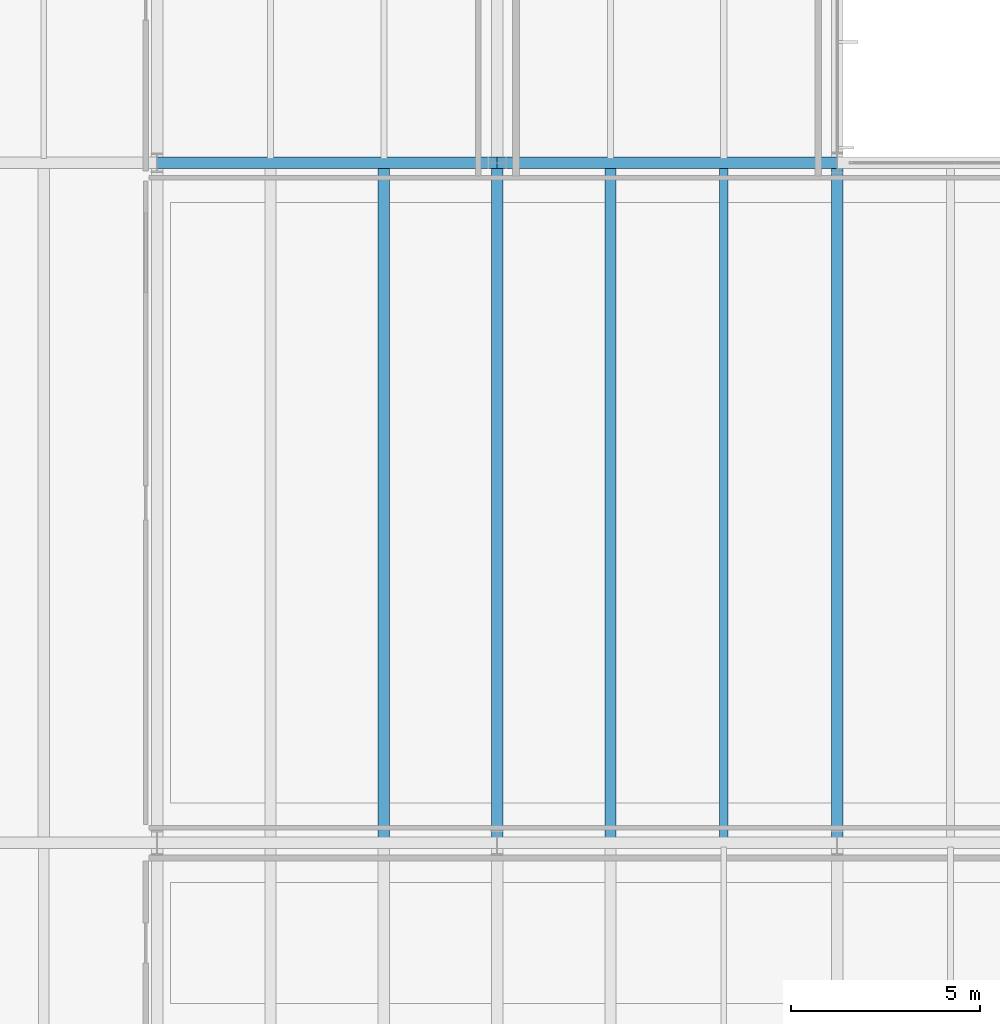
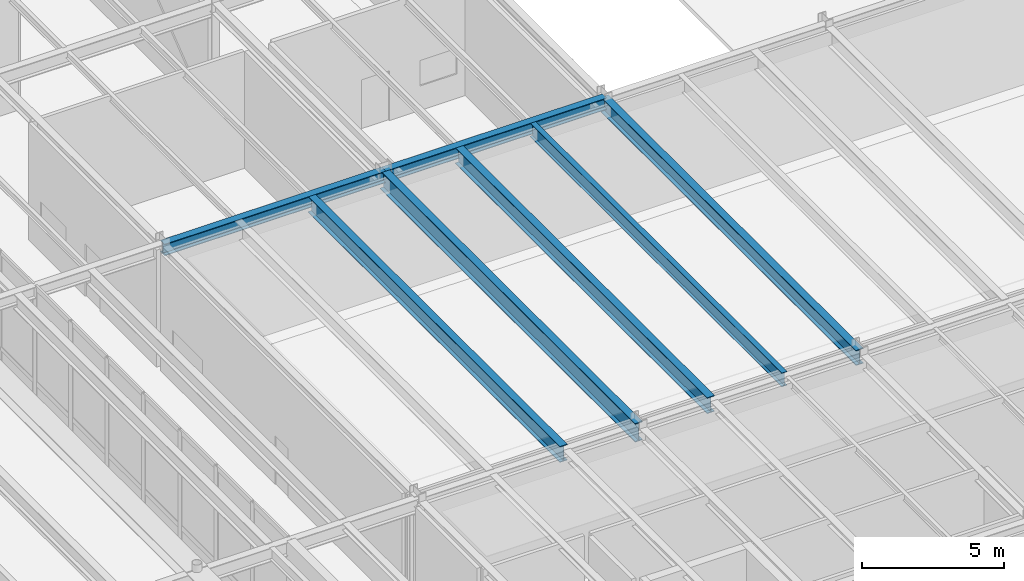
# One storey, part 48 of 143: 7 beams.
"""IFC4 building model written with IfcOpenShell, lengths in metres."""

from ifc_helpers import new_model, si_unit, direction, frame, origin, origin_2d, place, context, subcontext, project, spatial, i_section, extrude, material, material_profile, profile_set, type_object, element, save


model = new_model("IFC4")

# Units and contexts
model_context = context("Model", 3, precision=1e-05, world=origin(), true_north=direction((0.0, 1.0)))
body_context = subcontext(model_context, "Body", "Model", "MODEL_VIEW")
ifc_project = project(units=[si_unit("LENGTHUNIT", "METRE"), si_unit("AREAUNIT", "SQUARE_METRE"), si_unit("VOLUMEUNIT", "CUBIC_METRE"), si_unit("PLANEANGLEUNIT", "RADIAN"), si_unit("MASSUNIT", "GRAM", prefix="KILO")], contexts=[model_context])

# Site, building, storey
site_placement = place(None, origin())
site = spatial("IfcSite", under=ifc_project, at=site_placement, CompositionType="ELEMENT")
building_placement = place(site_placement, origin())
building = spatial("IfcBuilding", under=site, at=building_placement, Name="Montelvaro Courts of Justice", CompositionType="ELEMENT")
storey_placement = place(building_placement, origin())
storey = spatial("IfcBuildingStorey", under=building, at=storey_placement, Name="L00", CompositionType="ELEMENT", Elevation=0.0)

# Beams
ifc_material = material(Name="Steel S355", Category="steel")
ifc_material_profile_1 = material_profile(ifc_material, i_section(OverallWidth=0.300048828125, OverallDepth=0.68994140625, WebThickness=0.014404296875, FlangeThickness=0.027099609375, at=origin_2d()), Name="HEA 700")
ifc_profile_set_1 = profile_set([ifc_material_profile_1], Name="Steel S355")
beam_type_1 = type_object("IfcBeamType", Name="Beam_HEA700", PredefinedType="USERDEFINED", material=ifc_profile_set_1)
for number, where, z_axis, x_axis, name in (
    (1, (114.0, 24.110107421875, 4.77490234375), (0.0, 1.0, 0.0), (-1.0, 0.0, 0.0), "Beam B-23 L00"),
    (2, (120.0, 24.110107421875, 4.77490234375), (0.0, 1.0, 0.0), (-1.0, 0.0, 0.0), "Beam B-23 L00"),
):
    element("IfcBeam", number, at=place(storey_placement, frame(where, z_axis=z_axis, x_axis=x_axis)), inside=storey, type_object=beam_type_1, Name=name, ObjectType="GIRDER", PredefinedType="USERDEFINED", context=body_context, shape_type="SweptSolid", body=[
        extrude(i_section(OverallWidth=0.300048828125, OverallDepth=0.68994140625, WebThickness=0.014404296875, FlangeThickness=0.027099609375, at=origin_2d()), origin(), (0.0, 0.0, 1.0), 17.77978515625),
    ])
ifc_material_profile_2 = material_profile(ifc_material, i_section(OverallWidth=0.300048828125, OverallDepth=0.5, WebThickness=0.014404296875, FlangeThickness=0.028076171875, at=origin_2d()), Name="HEB 500")
ifc_profile_set_2 = profile_set([ifc_material_profile_2], Name="Steel S355")
beam_type_2 = type_object("IfcBeamType", Name="Beam_HEB500", PredefinedType="USERDEFINED", material=ifc_profile_set_2)
for number, where, z_axis, x_axis, name in (
    (3, (108.0, 42.0, 4.8701171875), (1.0, 0.0, 0.0), (0.0, 1.0, 0.0), "Beam B-25 L00"),
    (4, (117.0, 42.0, 4.8701171875), (1.0, 0.0, 0.0), (0.0, 1.0, 0.0), "Beam B-25 L00"),
):
    element("IfcBeam", number, at=place(storey_placement, frame(where, z_axis=z_axis, x_axis=x_axis)), inside=storey, type_object=beam_type_2, Name=name, ObjectType="GIRDER", PredefinedType="USERDEFINED", context=body_context, shape_type="SweptSolid", body=[
        extrude(i_section(OverallWidth=0.300048828125, OverallDepth=0.5, WebThickness=0.014404296875, FlangeThickness=0.028076171875, at=origin_2d()), origin(), (0.0, 0.0, 1.0), 9.0),
    ])
ifc_material_profile_3 = material_profile(ifc_material, i_section(OverallWidth=0.300048828125, OverallDepth=0.64990234375, WebThickness=0.01611328125, FlangeThickness=0.031005859375, at=origin_2d()), Name="HEB 650")
ifc_profile_set_3 = profile_set([ifc_material_profile_3], Name="Steel S355")
beam_type_3 = type_object("IfcBeamType", Name="Beam_HEB650", PredefinedType="USERDEFINED", material=ifc_profile_set_3)
beam_1_placement = place(storey_placement, frame((126.0, 24.0, 4.794921875), z_axis=(0.0, 1.0, 0.0), x_axis=(-1.0, 0.0, 0.0)))
element("IfcBeam", 5, at=beam_1_placement, inside=storey, type_object=beam_type_3, Name="Beam B-27 L00", ObjectType="GIRDER", PredefinedType="USERDEFINED", context=body_context, shape_type="SweptSolid", body=[
    extrude(i_section(OverallWidth=0.300048828125, OverallDepth=0.64990234375, WebThickness=0.01611328125, FlangeThickness=0.031005859375, at=origin_2d()), origin(), (0.0, 0.0, 1.0), 18.0),
])
ifc_material_profile_4 = material_profile(ifc_material, i_section(OverallWidth=0.300048828125, OverallDepth=0.800048828125, WebThickness=0.017578125, FlangeThickness=0.032958984375, at=origin_2d()), Name="HEB 800")
ifc_profile_set_4 = profile_set([ifc_material_profile_4], Name="Steel S355")
beam_type_4 = type_object("IfcBeamType", Name="Beam_HEB800", PredefinedType="USERDEFINED", material=ifc_profile_set_4)
beam_2_placement = place(storey_placement, frame((117.0, 24.0, 4.719970703125), z_axis=(0.0, 1.0, 0.0), x_axis=(-1.0, 0.0, 0.0)))
element("IfcBeam", 6, at=beam_2_placement, inside=storey, type_object=beam_type_4, Name="Beam B-29 L00", ObjectType="GIRDER", PredefinedType="USERDEFINED", context=body_context, shape_type="SweptSolid", body=[
    extrude(i_section(OverallWidth=0.300048828125, OverallDepth=0.800048828125, WebThickness=0.017578125, FlangeThickness=0.032958984375, at=origin_2d()), origin(), (0.0, 0.0, 1.0), 18.0),
])
ifc_material_profile_5 = material_profile(ifc_material, i_section(OverallWidth=0.219970703125, OverallDepth=0.60009765625, WebThickness=0.011962890625, FlangeThickness=0.01904296875, at=origin_2d()), Name="IPE 600")
ifc_profile_set_5 = profile_set([ifc_material_profile_5], Name="Steel S355")
beam_type_5 = type_object("IfcBeamType", Name="Beam_IPE600", PredefinedType="USERDEFINED", material=ifc_profile_set_5)
beam_3_placement = place(storey_placement, frame((123.0, 24.110107421875, 4.820068359375), z_axis=(0.0, 1.0, 0.0), x_axis=(-1.0, 0.0, 0.0)))
element("IfcBeam", 7, at=beam_3_placement, inside=storey, type_object=beam_type_5, Name="Beam B-12 L00", ObjectType="GIRDER", PredefinedType="USERDEFINED", context=body_context, shape_type="SweptSolid", body=[
    extrude(i_section(OverallWidth=0.219970703125, OverallDepth=0.60009765625, WebThickness=0.011962890625, FlangeThickness=0.01904296875, at=origin_2d()), origin(), (0.0, 0.0, 1.0), 17.77978515625),
])

save(model, "model.ifc")
